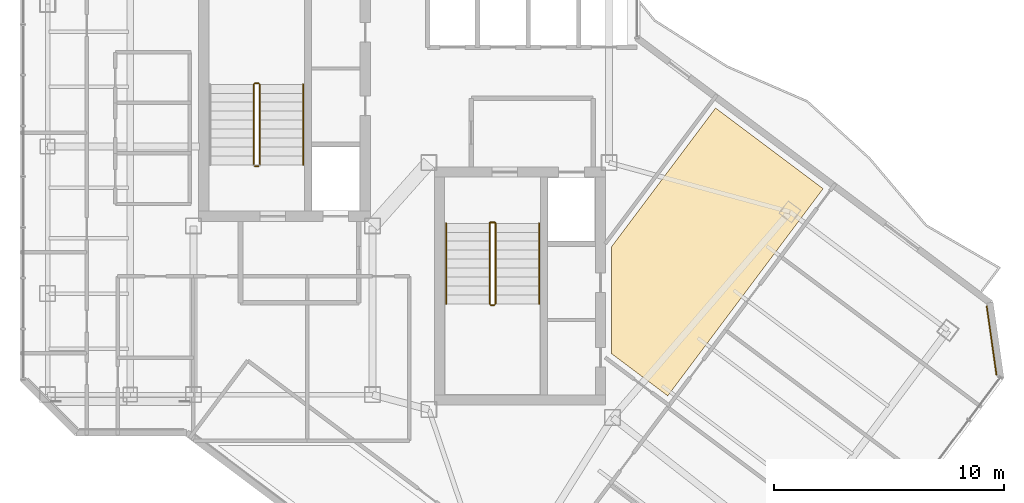
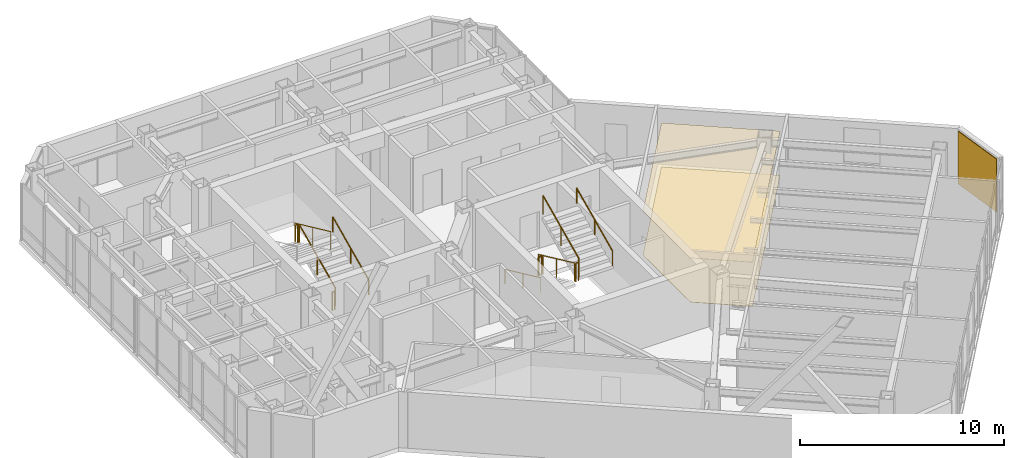
# One storey, part 24 of 25: 12 railings, 3 coverings.
"""IFC4 building model written with IfcOpenShell, lengths in metres."""

from ifc_helpers import new_model, si_unit, direction, frame, origin, origin_2d, place, context, subcontext, project, spatial, polyline, rectangle, circle, outline, extrude, material, layer, layer_set, type_object, element, save


model = new_model("IFC4")

# Units and contexts
model_context = context("Model", 3, precision=1e-05, world=origin(), true_north=direction((0.0, 1.0)))
body_context = subcontext(model_context, "Body", "Model", "MODEL_VIEW")
ifc_project = project(units=[si_unit("LENGTHUNIT", "METRE"), si_unit("AREAUNIT", "SQUARE_METRE"), si_unit("VOLUMEUNIT", "CUBIC_METRE"), si_unit("PLANEANGLEUNIT", "RADIAN"), si_unit("MASSUNIT", "GRAM", prefix="KILO")], contexts=[model_context])

# Site, building, storey
site_placement = place(None, origin())
site = spatial("IfcSite", under=ifc_project, at=site_placement, CompositionType="ELEMENT")
building_placement = place(site_placement, origin())
building = spatial("IfcBuilding", under=site, at=building_placement, Name="Hatsunagi Terrace Concourse", CompositionType="ELEMENT")
storey_placement = place(building_placement, frame((0.0, 0.0, 223.949951171875)))
storey = spatial("IfcBuildingStorey", under=building, at=storey_placement, Name="L59", CompositionType="ELEMENT", Elevation=223.949951171875)

# Coverings
ifc_material_1 = material(Name="Acoustic mineral board", Category="gypsum")
ifc_layer_1 = layer(ifc_material_1, 0.02001953125)
ifc_layer_set_1 = layer_set([ifc_layer_1], Name="AcousticMineralCeiling_20")
covering_type_1 = type_object("IfcCoveringType", Name="AcousticMineralCeiling_20", PredefinedType="CEILING", material=ifc_layer_set_1)
covering_1_placement = place(storey_placement, frame((0.0, 0.0, 2.630126953125)))
element("IfcCovering", 1, at=covering_1_placement, inside=storey, type_object=covering_type_1, Name="Suspended Ceiling L59-1", PredefinedType="CEILING", context=body_context, shape_type="SweptSolid", body=[
    extrude(outline(polyline([(48.281982421875, 37.676025390625), (43.75, 31.634033203125), (43.75, 26.988037109375), (46.199951171875, 25.14990234375), (52.9619140625, 34.166015625), (48.281982421875, 37.676025390625)])), origin(), (0.0, 0.0, 1.0), 0.02001953125),
])
ifc_material_2 = material(Name="Hardwood timber", Category="wood")
ifc_layer_2 = layer(ifc_material_2, 0.014892578125)
ifc_layer_set_2 = layer_set([ifc_layer_2], Name="HardwoodTimberFlooring_15")
covering_type_2 = type_object("IfcCoveringType", Name="HardwoodTimberFlooring_15", PredefinedType="FLOORING", material=ifc_layer_set_2)
covering_2_placement = place(storey_placement, origin())
element("IfcCovering", 2, at=covering_2_placement, inside=storey, type_object=covering_type_2, Name="Finished Flooring L59-1", PredefinedType="FLOORING", context=body_context, shape_type="SweptSolid", body=[
    extrude(outline(polyline([(48.281982421875, 37.676025390625), (43.75, 31.634033203125), (43.75, 26.988037109375), (46.199951171875, 25.14990234375), (52.9619140625, 34.166015625), (48.281982421875, 37.676025390625)])), origin(), (0.0, 0.0, 1.0), 0.01513671875),
])

# Railings
ifc_material_3 = material(Name="Stainless steel", Category="steel")
ifc_layer_3 = layer(ifc_material_3, 0.044921875)
ifc_layer_set_3 = layer_set([ifc_layer_3], Name="StairPitchHandrail_Tower2000")
railing_type_1 = type_object("IfcRailingType", Name="StairPitchHandrail_Tower2000", PredefinedType="HANDRAIL", material=ifc_layer_set_3)
railing_1_placement = place(storey_placement, frame((30.330078125, 35.199951171875, 0.179931640625)))
element("IfcRailing", 3, at=railing_1_placement, inside=storey, type_object=railing_type_1, Name="L59 ST-A stair handrail 1", PredefinedType="HANDRAIL", context=body_context, shape_type="SweptSolid", body=[
    extrude(circle(Radius=0.02392578125, at=origin_2d()), frame((0.0, 0.0, 0.8759765625), z_axis=(0.0, 0.907948293929, 0.419082206198), x_axis=(-1.0, 0.0, 0.0)), (0.0, 0.0, 1.0), 3.865966796875),
    extrude(circle(Radius=0.02099609375, at=origin_2d()), origin(), (0.0, 0.0, 1.0), 0.851806640625),
    extrude(circle(Radius=0.02099609375, at=origin_2d()), frame((0.0, 1.7548828125, 0.81005859375)), (0.0, 0.0, 1.0), 0.851806640625),
    extrude(circle(Radius=0.02099609375, at=origin_2d()), frame((0.0, 3.510009765625, 1.6201171875)), (0.0, 0.0, 1.0), 0.851806640625),
])
railing_2_placement = place(storey_placement, frame((36.550048828125, 32.659912109375, 0.179931640625)))
element("IfcRailing", 4, at=railing_2_placement, inside=storey, type_object=railing_type_1, Name="L59 ST-B stair handrail 1", PredefinedType="HANDRAIL", context=body_context, shape_type="SweptSolid", body=[
    extrude(circle(Radius=0.02392578125, at=origin_2d()), frame((0.0, 0.0, 0.8759765625), z_axis=(0.0, -0.907948293929, 0.419082206198), x_axis=(1.0, 0.0, 0.0)), (0.0, 0.0, 1.0), 3.865966796875),
    extrude(circle(Radius=0.02099609375, at=origin_2d()), origin(), (0.0, 0.0, 1.0), 0.851806640625),
    extrude(circle(Radius=0.02099609375, at=origin_2d()), frame((0.0, -1.7548828125, 0.81005859375)), (0.0, 0.0, 1.0), 0.851806640625),
    extrude(circle(Radius=0.02099609375, at=origin_2d()), frame((0.0, -3.510009765625, 1.6201171875)), (0.0, 0.0, 1.0), 0.851806640625),
])
railing_3_placement = place(storey_placement, frame((40.60009765625, 29.14990234375, 1.97998046875)))
element("IfcRailing", 5, at=railing_3_placement, inside=storey, type_object=railing_type_1, Name="L59 ST-B stair handrail 2", PredefinedType="HANDRAIL", context=body_context, shape_type="SweptSolid", body=[
    extrude(circle(Radius=0.02392578125, at=origin_2d()), frame((0.0, 0.0, 0.8759765625), z_axis=(0.0, 0.907948293929, 0.419082206198), x_axis=(-1.0, 0.0, 0.0)), (0.0, 0.0, 1.0), 3.865966796875),
    extrude(circle(Radius=0.02099609375, at=origin_2d()), origin(), (0.0, 0.0, 1.0), 0.851806640625),
    extrude(circle(Radius=0.02099609375, at=origin_2d()), frame((0.0, 1.7548828125, 0.81005859375)), (0.0, 0.0, 1.0), 0.851806640625),
    extrude(circle(Radius=0.02099609375, at=origin_2d()), frame((0.0, 3.510009765625, 1.6201171875)), (0.0, 0.0, 1.0), 0.851806640625),
])
ifc_material_4 = material(Name="Stainless steel", Category="steel")
ifc_layer_4 = layer(ifc_material_4, 0.06005859375)
ifc_layer_set_4 = layer_set([ifc_layer_4], Name="StairWellGuard_Tower2000")
railing_type_2 = type_object("IfcRailingType", Name="StairWellGuard_Tower2000", PredefinedType="BALUSTRADE", material=ifc_layer_set_4)
railing_4_placement = place(storey_placement, frame((28.429931640625, 35.199951171875, 0.179931640625)))
element("IfcRailing", 6, at=railing_4_placement, inside=storey, type_object=railing_type_2, Name="L59 ST-A stair guard 1", PredefinedType="BALUSTRADE", context=body_context, shape_type="SweptSolid", body=[
    extrude(circle(Radius=0.02392578125, at=origin_2d()), frame((0.0, 0.0, 1.09619140625), z_axis=(0.0, 0.907948293929, 0.419082206198), x_axis=(-1.0, 0.0, 0.0)), (0.0, 0.0, 1.0), 3.865966796875),
    extrude(circle(Radius=0.02099609375, at=origin_2d()), origin(), (0.0, 0.0, 1.0), 1.072021484375),
    extrude(circle(Radius=0.02099609375, at=origin_2d()), frame((0.0, 1.7548828125, 0.81005859375)), (0.0, 0.0, 1.0), 1.072021484375),
    extrude(circle(Radius=0.02099609375, at=origin_2d()), frame((0.0, 3.510009765625, 1.6201171875)), (0.0, 0.0, 1.0), 1.072021484375),
])
railing_5_placement = place(storey_placement, frame((28.3798828125, 38.760009765625, 1.800048828125)))
element("IfcRailing", 7, at=railing_5_placement, inside=storey, type_object=railing_type_2, Name="L59 ST-A stair guard 2", PredefinedType="BALUSTRADE", context=body_context, shape_type="SweptSolid", body=[
    extrude(circle(Radius=0.02392578125, at=origin_2d()), frame((0.0, 0.0, 1.09619140625), z_axis=(-1.0, 0.0, 0.0), x_axis=(0.0, -1.0, 0.0)), (0.0, 0.0, 1.0), 0.14990234375),
    extrude(circle(Radius=0.02099609375, at=origin_2d()), origin(), (0.0, 0.0, 1.0), 1.072021484375),
    extrude(circle(Radius=0.02099609375, at=origin_2d()), frame((-0.14990234375, 0.0, 0.0)), (0.0, 0.0, 1.0), 1.072021484375),
])
railing_6_placement = place(storey_placement, frame((28.179931640625, 38.7099609375, 1.97998046875)))
element("IfcRailing", 8, at=railing_6_placement, inside=storey, type_object=railing_type_2, Name="L59 ST-A stair guard 3", PredefinedType="BALUSTRADE", context=body_context, shape_type="SweptSolid", body=[
    extrude(circle(Radius=0.02392578125, at=origin_2d()), frame((0.0, 0.0, 1.09619140625), z_axis=(0.0, -0.907948293929, 0.419082206198), x_axis=(1.0, 0.0, 0.0)), (0.0, 0.0, 1.0), 3.865966796875),
    extrude(circle(Radius=0.02099609375, at=origin_2d()), origin(), (0.0, 0.0, 1.0), 1.072021484375),
    extrude(circle(Radius=0.02099609375, at=origin_2d()), frame((0.0, -1.7548828125, 0.81005859375)), (0.0, 0.0, 1.0), 1.072021484375),
    extrude(circle(Radius=0.02099609375, at=origin_2d()), frame((0.0, -3.510009765625, 1.6201171875)), (0.0, 0.0, 1.0), 1.072021484375),
])
railing_7_placement = place(storey_placement, frame((28.3798828125, 35.14990234375, 0.0)))
element("IfcRailing", 9, at=railing_7_placement, inside=storey, type_object=railing_type_2, Name="L59 ST-A stair guard 4", PredefinedType="BALUSTRADE", context=body_context, shape_type="SweptSolid", body=[
    extrude(circle(Radius=0.02392578125, at=origin_2d()), frame((0.0, 0.0, 1.09619140625), z_axis=(-1.0, 0.0, 0.0), x_axis=(0.0, -1.0, 0.0)), (0.0, 0.0, 1.0), 0.14990234375),
    extrude(circle(Radius=0.02099609375, at=origin_2d()), origin(), (0.0, 0.0, 1.0), 1.072021484375),
    extrude(circle(Radius=0.02099609375, at=origin_2d()), frame((-0.14990234375, 0.0, 0.0)), (0.0, 0.0, 1.0), 1.072021484375),
])
railing_8_placement = place(storey_placement, frame((38.449951171875, 32.659912109375, 0.179931640625)))
element("IfcRailing", 10, at=railing_8_placement, inside=storey, type_object=railing_type_2, Name="L59 ST-B stair guard 1", PredefinedType="BALUSTRADE", context=body_context, shape_type="SweptSolid", body=[
    extrude(circle(Radius=0.02392578125, at=origin_2d()), frame((0.0, 0.0, 1.09619140625), z_axis=(0.0, -0.907948293929, 0.419082206198), x_axis=(1.0, 0.0, 0.0)), (0.0, 0.0, 1.0), 3.865966796875),
    extrude(circle(Radius=0.02099609375, at=origin_2d()), origin(), (0.0, 0.0, 1.0), 1.072021484375),
    extrude(circle(Radius=0.02099609375, at=origin_2d()), frame((0.0, -1.7548828125, 0.81005859375)), (0.0, 0.0, 1.0), 1.072021484375),
    extrude(circle(Radius=0.02099609375, at=origin_2d()), frame((0.0, -3.510009765625, 1.6201171875)), (0.0, 0.0, 1.0), 1.072021484375),
])
railing_9_placement = place(storey_placement, frame((38.5, 29.10009765625, 1.800048828125)))
element("IfcRailing", 11, at=railing_9_placement, inside=storey, type_object=railing_type_2, Name="L59 ST-B stair guard 2", PredefinedType="BALUSTRADE", context=body_context, shape_type="SweptSolid", body=[
    extrude(circle(Radius=0.02392578125, at=origin_2d()), frame((0.0, 0.0, 1.09619140625), z_axis=(1.0, 0.0, 0.0), x_axis=(0.0, 1.0, 0.0)), (0.0, 0.0, 1.0), 0.14990234375),
    extrude(circle(Radius=0.02099609375, at=origin_2d()), origin(), (0.0, 0.0, 1.0), 1.072021484375),
    extrude(circle(Radius=0.02099609375, at=origin_2d()), frame((0.14990234375, 0.0, 0.0)), (0.0, 0.0, 1.0), 1.072021484375),
])
railing_10_placement = place(storey_placement, frame((38.699951171875, 29.14990234375, 1.97998046875)))
element("IfcRailing", 12, at=railing_10_placement, inside=storey, type_object=railing_type_2, Name="L59 ST-B stair guard 3", PredefinedType="BALUSTRADE", context=body_context, shape_type="SweptSolid", body=[
    extrude(circle(Radius=0.02392578125, at=origin_2d()), frame((0.0, 0.0, 1.09619140625), z_axis=(0.0, 0.907948293929, 0.419082206198), x_axis=(-1.0, 0.0, 0.0)), (0.0, 0.0, 1.0), 3.865966796875),
    extrude(circle(Radius=0.02099609375, at=origin_2d()), origin(), (0.0, 0.0, 1.0), 1.072021484375),
    extrude(circle(Radius=0.02099609375, at=origin_2d()), frame((0.0, 1.7548828125, 0.81005859375)), (0.0, 0.0, 1.0), 1.072021484375),
    extrude(circle(Radius=0.02099609375, at=origin_2d()), frame((0.0, 3.510009765625, 1.6201171875)), (0.0, 0.0, 1.0), 1.072021484375),
])
railing_11_placement = place(storey_placement, frame((38.5, 32.7099609375, 0.0)))
element("IfcRailing", 13, at=railing_11_placement, inside=storey, type_object=railing_type_2, Name="L59 ST-B stair guard 4", PredefinedType="BALUSTRADE", context=body_context, shape_type="SweptSolid", body=[
    extrude(circle(Radius=0.02392578125, at=origin_2d()), frame((0.0, 0.0, 1.09619140625), z_axis=(1.0, 0.0, 0.0), x_axis=(0.0, 1.0, 0.0)), (0.0, 0.0, 1.0), 0.14990234375),
    extrude(circle(Radius=0.02099609375, at=origin_2d()), origin(), (0.0, 0.0, 1.0), 1.072021484375),
    extrude(circle(Radius=0.02099609375, at=origin_2d()), frame((0.14990234375, 0.0, 0.0)), (0.0, 0.0, 1.0), 1.072021484375),
])
ifc_material_5 = material(Name="Stainless Steel SUS316 Post-and-Rail Guard", Category="steel")
ifc_layer_5 = layer(ifc_material_5, 0.080078125)
ifc_layer_set_5 = layer_set([ifc_layer_5], Name="TerracePlantedGuardRail_1200")
railing_type_3 = type_object("IfcRailingType", Name="TerracePlantedGuardRail_1200", PredefinedType="GUARDRAIL", material=ifc_layer_set_5)
railing_12_placement = place(storey_placement, frame((38.449951171875, 32.679931640625, 0.0)))
element("IfcRailing", 14, at=railing_12_placement, inside=storey, type_object=railing_type_3, Name="Stair ST-B Well Closure Guard L59", PredefinedType="GUARDRAIL", context=body_context, shape_type="SweptSolid", body=[
    extrude(circle(Radius=0.02392578125, at=origin_2d()), frame((0.0, 0.0, 1.09619140625), z_axis=(1.0, 0.0, 0.0), x_axis=(0.0, 1.0, 0.0)), (0.0, 0.0, 1.0), 0.25),
    extrude(circle(Radius=0.02099609375, at=origin_2d()), origin(), (0.0, 0.0, 1.0), 1.072021484375),
    extrude(circle(Radius=0.02099609375, at=origin_2d()), frame((0.25, 0.0, 0.0)), (0.0, 0.0, 1.0), 1.072021484375),
])

# Covering
ifc_material_6 = material(Name="Unglazed Warm Terracotta Rainscreen Tile", Category="masonry")
ifc_layer_6 = layer(ifc_material_6, 0.044921875)
ifc_layer_set_6 = layer_set([ifc_layer_6], Name="TerracottaRainscreenCladding_45")
covering_type_3 = type_object("IfcCoveringType", Name="TerracottaRainscreenCladding_45", PredefinedType="CLADDING", material=ifc_layer_set_6)
covering_3_placement = place(storey_placement, frame((60.301025390625, 27.55810546875, 0.10009765625), z_axis=(0.0, 0.0, 1.0), x_axis=(0.141250262458, -0.989973920543, 0.0)))
element("IfcCovering", 15, at=covering_3_placement, inside=storey, type_object=covering_type_3, Name="Terracotta Rainscreen Cladding L59-02", PredefinedType="CLADDING", context=body_context, shape_type="SweptSolid", body=[
    extrude(rectangle(XDim=3.0380859375, YDim=0.044921875, at=origin_2d()), origin(), (0.0, 0.0, 1.0), 3.14990234375),
])

save(model, "model.ifc")
